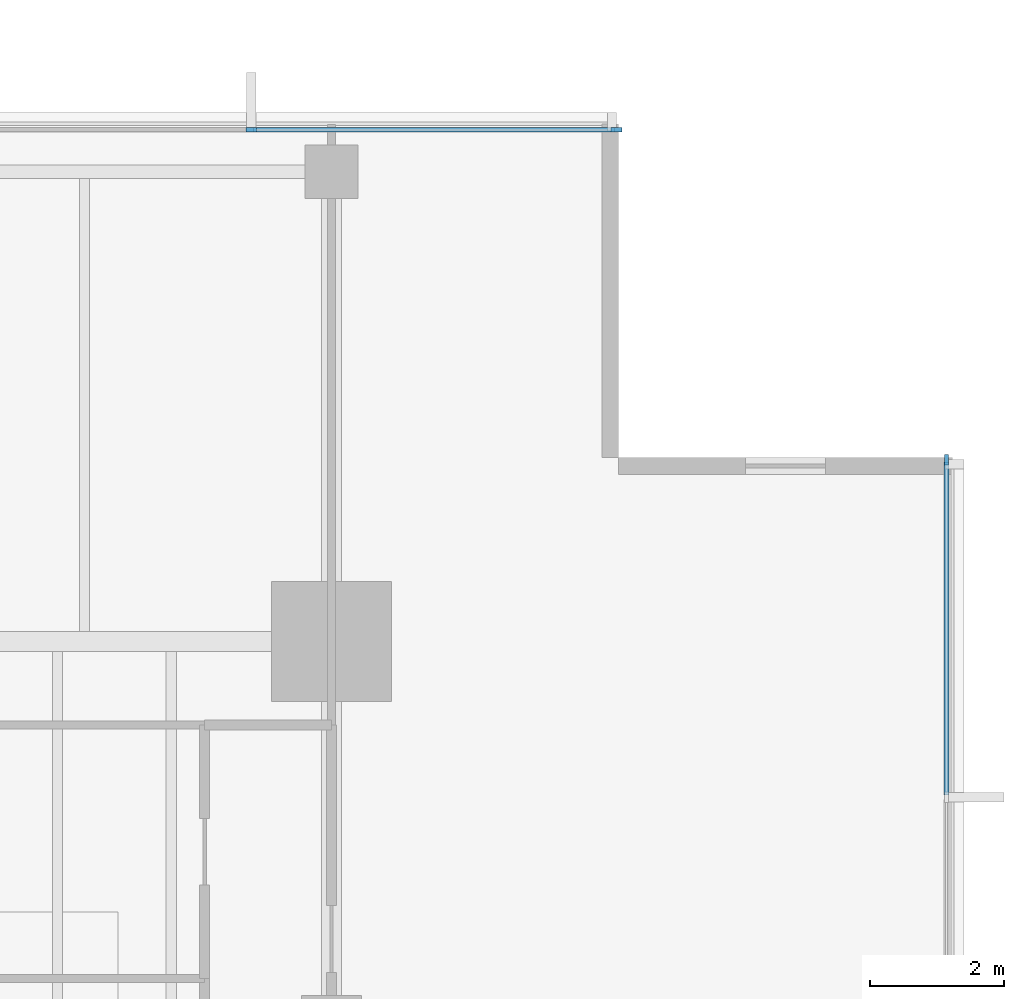
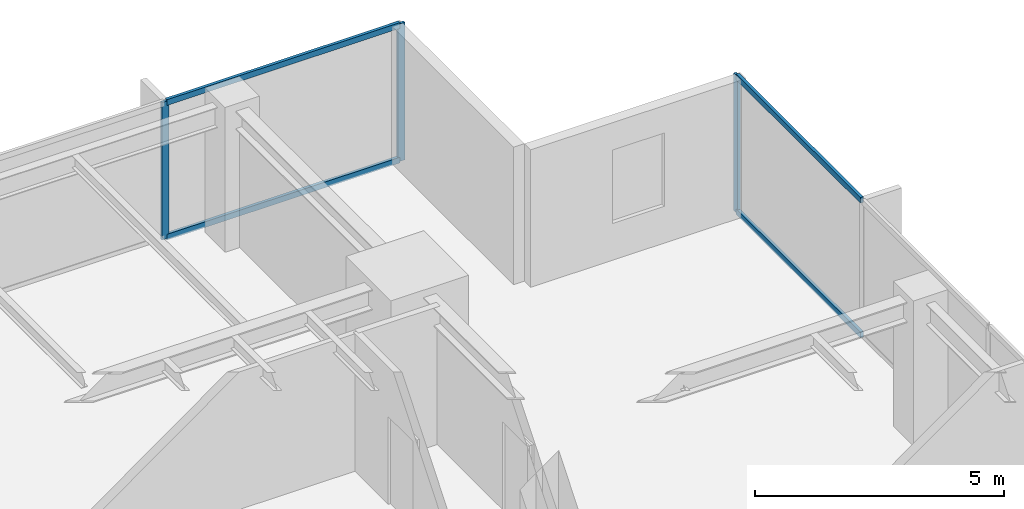
# One storey, part 6 of 14: 7 members, 2 elements without a shape of their own.
"""IFC4 building model written with IfcOpenShell, lengths in metres."""

from ifc_helpers import new_model, si_unit, direction, frame, origin, origin_2d, place, context, subcontext, project, spatial, rectangle, extrude, material, layer, layer_set, material_profile, profile_set, type_object, element, aggregate, save


model = new_model("IFC4")

# Units and contexts
model_context = context("Model", 3, precision=1e-05, world=origin(), true_north=direction((0.0, 1.0)))
body_context = subcontext(model_context, "Body", "Model", "MODEL_VIEW")
ifc_project = project(units=[si_unit("LENGTHUNIT", "METRE"), si_unit("AREAUNIT", "SQUARE_METRE"), si_unit("VOLUMEUNIT", "CUBIC_METRE"), si_unit("PLANEANGLEUNIT", "RADIAN"), si_unit("MASSUNIT", "GRAM", prefix="KILO")], contexts=[model_context])

# Site, building, storey
site_placement = place(None, origin())
site = spatial("IfcSite", under=ifc_project, at=site_placement, CompositionType="ELEMENT")
building_placement = place(site_placement, origin())
building = spatial("IfcBuilding", under=site, at=building_placement, Name="Kinhvarn Gate Tower", CompositionType="ELEMENT")
storey_placement = place(building_placement, frame((0.0, 0.0, 227.10009765625)))
storey = spatial("IfcBuildingStorey", under=building, at=storey_placement, Name="L60", CompositionType="ELEMENT", Elevation=227.10009765625)

# Curtain wall, members
ifc_material = material(Name="Anodised aluminium AW-6063", Category="aluminium")
ifc_layer = layer(ifc_material, 0.179931640625)
ifc_layer_set = layer_set([ifc_layer], Name="Anodised aluminium AW-6063")
curtain_wall_type = type_object("IfcCurtainWallType", Name="CW-SYS-3", PredefinedType="NOTDEFINED", material=ifc_layer_set)
curtain_wall_1_placement = place(storey_placement, origin())
curtain_wall_1 = element("IfcCurtainWall", 1, at=curtain_wall_1_placement, inside=storey, type_object=curtain_wall_type, Name="Curtain Wall CW3 (L60)", PredefinedType="NOTDEFINED")
ifc_material_profile_1 = material_profile(ifc_material, rectangle(XDim=0.06494140625, YDim=0.159912109375, at=origin_2d()), Name="ALU 65x160")
ifc_profile_set_1 = profile_set([ifc_material_profile_1], Name="Anodised aluminium AW-6063")
member_type_1 = type_object("IfcMemberType", Name="CW-MUL-160", PredefinedType="MULLION", material=ifc_profile_set_1)
member_1_placement = place(storey_placement, frame((42.467529296875, 45.409912109375, 0.0), z_axis=(0.0, 0.0, 1.0), x_axis=(0.0, -1.0, 0.0)))
member_1 = element("IfcMember", 2, at=member_1_placement, type_object=member_type_1, Name="CW3 mullion 1", PredefinedType="MULLION", context=body_context, shape_type="SweptSolid", body=[
    extrude(rectangle(XDim=0.06494140625, YDim=0.159912109375, at=origin_2d()), origin(), (0.0, 0.0, 1.0), 3.369873046875),
])
member_2_placement = place(storey_placement, frame((37.0, 45.409912109375, 0.0), z_axis=(0.0, 0.0, 1.0), x_axis=(0.0, -1.0, 0.0)))
member_2 = element("IfcMember", 3, at=member_2_placement, type_object=member_type_1, Name="CW3 mullion 2", PredefinedType="MULLION", context=body_context, shape_type="SweptSolid", body=[
    extrude(rectangle(XDim=0.06494140625, YDim=0.159912109375, at=origin_2d()), origin(), (0.0, 0.0, 1.0), 3.369873046875),
])

# Curtain wall, member
curtain_wall_2_placement = place(storey_placement, origin())
curtain_wall_2 = element("IfcCurtainWall", 4, at=curtain_wall_2_placement, inside=storey, type_object=curtain_wall_type, Name="Curtain Wall CW3 (L60)", PredefinedType="NOTDEFINED")
member_3_placement = place(storey_placement, frame((47.409912109375, 40.467529296875, 0.0), z_axis=(0.0, 0.0, 1.0), x_axis=(-1.0, 0.0, 0.0)))
member_3 = element("IfcMember", 5, at=member_3_placement, type_object=member_type_1, Name="CW3 mullion 7", PredefinedType="MULLION", context=body_context, shape_type="SweptSolid", body=[
    extrude(rectangle(XDim=0.06494140625, YDim=0.159912109375, at=origin_2d()), origin(), (0.0, 0.0, 1.0), 3.369873046875),
])

# Member
ifc_material_profile_2 = material_profile(ifc_material, rectangle(XDim=0.070068359375, YDim=0.139892578125, at=origin_2d()), Name="ALU 70x140")
ifc_profile_set_2 = profile_set([ifc_material_profile_2], Name="Anodised aluminium AW-6063")
member_type_2 = type_object("IfcMemberType", Name="CW-TRN-140", PredefinedType="USERDEFINED", material=ifc_profile_set_2)
member_4_placement = place(storey_placement, frame((42.43505859375, 45.409912109375, 0.034912109375), z_axis=(-1.0, 0.0, 0.0), x_axis=(0.0, -1.0, 0.0)))
member_4 = element("IfcMember", 6, at=member_4_placement, type_object=member_type_2, Name="CW3 transom 1.1", ObjectType="TRANSOM", PredefinedType="USERDEFINED", context=body_context, shape_type="SweptSolid", body=[
    extrude(rectangle(XDim=0.070068359375, YDim=0.139892578125, at=origin_2d()), origin(), (0.0, 0.0, 1.0), 5.402587890625),
])

member_5_placement = place(storey_placement, frame((42.43505859375, 45.409912109375, 3.3349609375), z_axis=(-1.0, 0.0, 0.0), x_axis=(0.0, -1.0, 0.0)))
member_5 = element("IfcMember", 7, at=member_5_placement, type_object=member_type_2, Name="CW3 transom 1.2", ObjectType="TRANSOM", PredefinedType="USERDEFINED", context=body_context, shape_type="SweptSolid", body=[
    extrude(rectangle(XDim=0.070068359375, YDim=0.139892578125, at=origin_2d()), origin(), (0.0, 0.0, 1.0), 5.402587890625),
])

aggregate(curtain_wall_1, [member_1, member_2, member_4, member_5])

member_6_placement = place(storey_placement, frame((47.409912109375, 35.44921875, 0.034912109375), z_axis=(0.0, 1.0, 0.0), x_axis=(-1.0, 0.0, 0.0)))
member_6 = element("IfcMember", 8, at=member_6_placement, type_object=member_type_2, Name="CW3 transom 6.1", ObjectType="TRANSOM", PredefinedType="USERDEFINED", context=body_context, shape_type="SweptSolid", body=[
    extrude(rectangle(XDim=0.070068359375, YDim=0.139892578125, at=origin_2d()), origin(), (0.0, 0.0, 1.0), 4.98583984375),
])

member_7_placement = place(storey_placement, frame((47.409912109375, 35.44921875, 3.3349609375), z_axis=(0.0, 1.0, 0.0), x_axis=(-1.0, 0.0, 0.0)))
member_7 = element("IfcMember", 9, at=member_7_placement, type_object=member_type_2, Name="CW3 transom 6.2", ObjectType="TRANSOM", PredefinedType="USERDEFINED", context=body_context, shape_type="SweptSolid", body=[
    extrude(rectangle(XDim=0.070068359375, YDim=0.139892578125, at=origin_2d()), origin(), (0.0, 0.0, 1.0), 4.98583984375),
])

aggregate(curtain_wall_2, [member_3, member_6, member_7])

save(model, "model.ifc")
